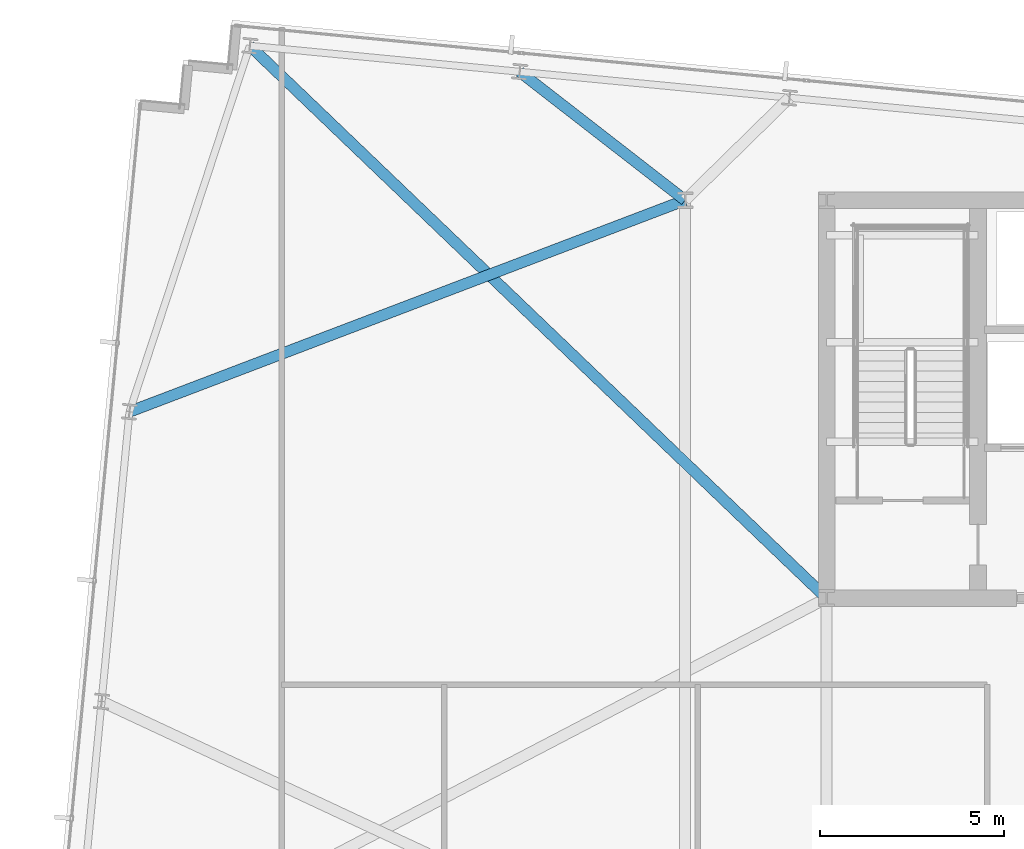
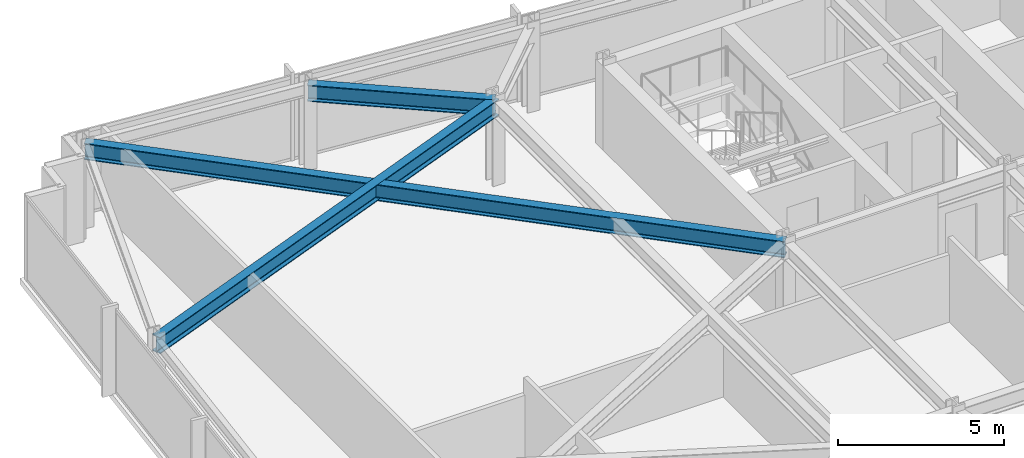
# One storey, part 22 of 36: 3 beams.
"""IFC4 building model written with IfcOpenShell, lengths in metres."""

from ifc_helpers import new_model, si_unit, direction, frame, origin, origin_2d, place, context, subcontext, project, spatial, i_section, extrude, material, material_profile, profile_set, type_object, element, save


model = new_model("IFC4")

# Units and contexts
model_context = context("Model", 3, precision=1e-05, world=origin(), true_north=direction((0.0, 1.0)))
body_context = subcontext(model_context, "Body", "Model", "MODEL_VIEW")
ifc_project = project(units=[si_unit("LENGTHUNIT", "METRE"), si_unit("AREAUNIT", "SQUARE_METRE"), si_unit("VOLUMEUNIT", "CUBIC_METRE"), si_unit("PLANEANGLEUNIT", "RADIAN"), si_unit("MASSUNIT", "GRAM", prefix="KILO")], contexts=[model_context])

# Site, building, storey
site_placement = place(None, origin())
site = spatial("IfcSite", under=ifc_project, at=site_placement, CompositionType="ELEMENT")
building_placement = place(site_placement, origin())
building = spatial("IfcBuilding", under=site, at=building_placement, Name="Yelkora Congress Tower", CompositionType="ELEMENT")
storey_placement = place(building_placement, frame((0.0, 0.0, 152.300048828125)))
storey = spatial("IfcBuildingStorey", under=building, at=storey_placement, Name="L41", CompositionType="ELEMENT", Elevation=152.300048828125)

# Beams
ifc_material = material(Name="Steel S355J2", Category="steel")
ifc_material_profile = material_profile(ifc_material, i_section(OverallWidth=0.300048828125, OverallDepth=0.60009765625, WebThickness=0.015380859375, FlangeThickness=0.030029296875, FilletRadius=0.027099609375, at=origin_2d()), Name="HEB 600")
ifc_profile_set = profile_set([ifc_material_profile], Name="Steel S355J2")
beam_type = type_object("IfcBeamType", Name="BM-GIRD-HEB600", PredefinedType="BEAM", material=ifc_profile_set)
beam_1_placement = place(storey_placement, frame((7.388916015625, 50.390625, 2.780029296875), z_axis=(0.722178809531, -0.691706416816, 0.0), x_axis=(0.691706416816, 0.722178809531, 0.0)))
element("IfcBeam", 1, at=beam_1_placement, inside=storey, type_object=beam_type, Name="L41 Primary Frame Girder N01", PredefinedType="BEAM", context=body_context, shape_type="SweptSolid", body=[
    extrude(i_section(OverallWidth=0.300048828125, OverallDepth=0.60009765625, WebThickness=0.015380859375, FlangeThickness=0.030029296875, FilletRadius=0.027099609375, at=origin_2d()), origin(), (0.0, 0.0, 1.0), 21.672119140625),
])
beam_2_placement = place(storey_placement, frame((14.712158203125, 49.685546875, 2.780029296875), z_axis=(0.789770770989, -0.6134020943, 0.0), x_axis=(0.6134020943, 0.789770770989, 0.0)))
element("IfcBeam", 2, at=beam_2_placement, inside=storey, type_object=beam_type, Name="L41 Primary Frame Girder N02", PredefinedType="BEAM", context=body_context, shape_type="SweptSolid", body=[
    extrude(i_section(OverallWidth=0.300048828125, OverallDepth=0.60009765625, WebThickness=0.015380859375, FlangeThickness=0.030029296875, FilletRadius=0.027099609375, at=origin_2d()), origin(), (0.0, 0.0, 1.0), 5.682373046875),
])
beam_3_placement = place(storey_placement, frame((4.121826171875, 40.4580078125, 2.780029296875), z_axis=(0.934531115392, 0.355881433013, 0.0), x_axis=(-0.355881433013, 0.934531115392, 0.0)))
element("IfcBeam", 3, at=beam_3_placement, inside=storey, type_object=beam_type, Name="L41 Primary Frame Girder W03", PredefinedType="BEAM", context=body_context, shape_type="SweptSolid", body=[
    extrude(i_section(OverallWidth=0.300048828125, OverallDepth=0.60009765625, WebThickness=0.015380859375, FlangeThickness=0.030029296875, FilletRadius=0.027099609375, at=origin_2d()), origin(), (0.0, 0.0, 1.0), 16.134521484375),
])

save(model, "model.ifc")
